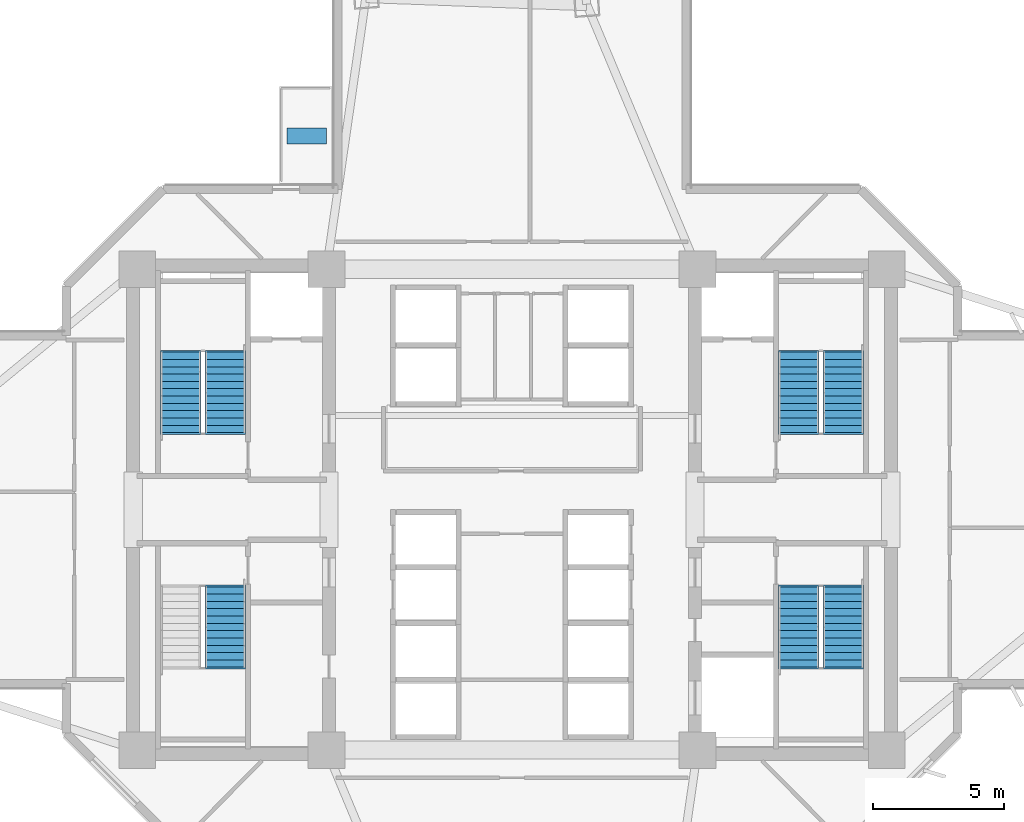
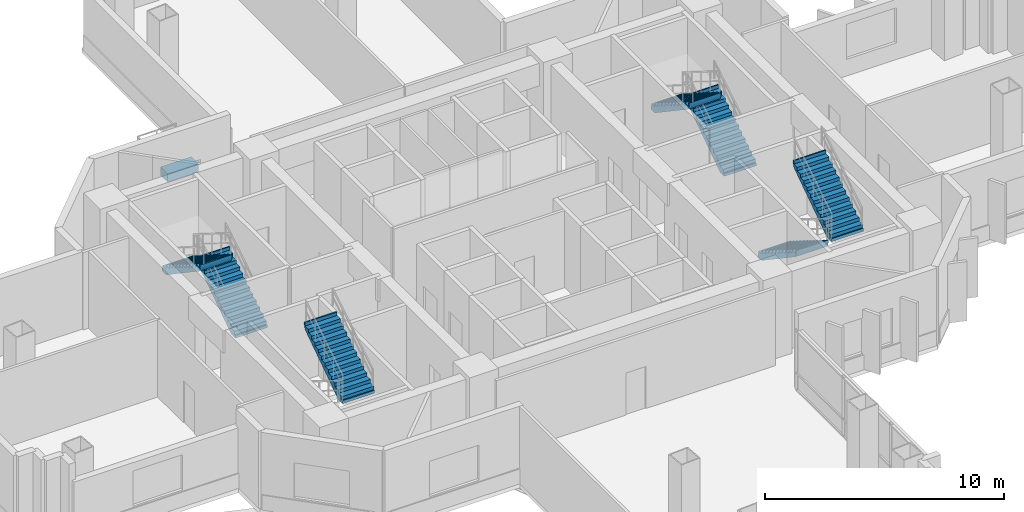
# One storey, part 9 of 14: 7 stair flights, 1 discrete accessory, 4 elements without a shape of their own.
"""IFC4 building model written with IfcOpenShell, lengths in metres."""

from ifc_helpers import new_model, si_unit, direction, frame, origin, origin_2d, place, context, subcontext, project, spatial, polyline, rectangle, outline, extrude, source, transform, mapped, material, type_object, element, aggregate, save


model = new_model("IFC4")

# Units and contexts
model_context = context("Model", 3, precision=1e-05, world=origin(), true_north=direction((0.0, 1.0)))
body_context = subcontext(model_context, "Body", "Model", "MODEL_VIEW")
ifc_project = project(units=[si_unit("LENGTHUNIT", "METRE"), si_unit("AREAUNIT", "SQUARE_METRE"), si_unit("VOLUMEUNIT", "CUBIC_METRE"), si_unit("PLANEANGLEUNIT", "RADIAN"), si_unit("MASSUNIT", "GRAM", prefix="KILO")], contexts=[model_context])

# Site, building, storey
site_placement = place(None, origin())
site = spatial("IfcSite", under=ifc_project, at=site_placement, CompositionType="ELEMENT")
building_placement = place(site_placement, origin())
building = spatial("IfcBuilding", under=site, at=building_placement, Name="Zahravan Cultural Tower", CompositionType="ELEMENT")
storey_placement = place(building_placement, frame((0.0, 0.0, 37.5)))
storey = spatial("IfcBuildingStorey", under=building, at=storey_placement, Name="L07", CompositionType="ELEMENT", Elevation=37.5)

# Stair, stair flights
ifc_material_1 = material(Name="Concrete C45/55", Category="concrete")
stair_type = type_object("IfcStairType", Name="STR-DL-1550-420", PredefinedType="HALF_TURN_STAIR", material=ifc_material_1)
stair_1_placement = place(storey_placement, origin())
stair_1 = element("IfcStair", 1, at=stair_1_placement, inside=storey, type_object=stair_type, Name="L07 West Core North Exit Stair ST-W1", PredefinedType="HALF_TURN_STAIR")
stair_flight_type = type_object("IfcStairFlightType", Name="FLG-DL-1550-420", PredefinedType="STRAIGHT", material=ifc_material_1)
stair_flight_1_placement = place(storey_placement, frame((25.02490234375, 29.949951171875, 0.0), z_axis=(0.0, 0.0, 1.0), x_axis=(0.0, 1.0, 0.0)))
stair_flight_1 = element("IfcStairFlight", 2, at=stair_flight_1_placement, type_object=stair_flight_type, Name="ST-W1 flight 1", NumberOfRisers=12, NumberOfTreads=11, PredefinedType="STRAIGHT", RiserHeight=0.175, TreadLength=0.28, context=body_context, shape_type="SweptSolid", body=[
    extrude(outline(polyline([(-0.06494140625, -0.139892578125), (-0.06494140625, 0.0), (0.0, 0.0), (0.0, 0.175048828125), (0.280029296875, 0.175048828125), (0.280029296875, 0.35009765625), (0.56005859375, 0.35009765625), (0.56005859375, 0.52490234375), (0.840087890625, 0.52490234375), (0.840087890625, 0.699951171875), (1.1201171875, 0.699951171875), (1.1201171875, 0.875), (1.39990234375, 0.875), (1.39990234375, 1.050048828125), (1.679931640625, 1.050048828125), (1.679931640625, 1.22509765625), (1.9599609375, 1.22509765625), (1.9599609375, 1.39990234375), (2.239990234375, 1.39990234375), (2.239990234375, 1.574951171875), (2.52001953125, 1.574951171875), (2.52001953125, 1.75), (2.800048828125, 1.75), (2.800048828125, 1.925048828125), (3.080078125, 1.925048828125), (3.080078125, 2.10009765625), (3.14501953125, 2.10009765625), (3.14501953125, 1.9501953125), (3.080078125, 1.748291015625), (0.28271484375, -0.139892578125), (-0.06494140625, -0.139892578125)])), frame((0.0, 0.77490234375, 0.0), z_axis=(0.0, -1.0, 0.0), x_axis=(1.0, 0.0, 0.0)), (0.0, 0.0, 1.0), 1.550048828125),
])
stair_flight_2_placement = place(storey_placement, frame((23.324951171875, 33.030029296875, 2.10009765625), z_axis=(0.0, 0.0, 1.0), x_axis=(0.0, -1.0, 0.0)))
stair_flight_2 = element("IfcStairFlight", 3, at=stair_flight_2_placement, type_object=stair_flight_type, Name="ST-W1 flight 2", NumberOfRisers=12, NumberOfTreads=11, PredefinedType="STRAIGHT", RiserHeight=0.175, TreadLength=0.28, context=body_context, shape_type="SweptSolid", body=[
    extrude(outline(polyline([(-0.06494140625, -0.139892578125), (-0.06494140625, 0.0), (0.0, 0.0), (0.0, 0.175048828125), (0.280029296875, 0.175048828125), (0.280029296875, 0.35009765625), (0.56005859375, 0.35009765625), (0.56005859375, 0.52490234375), (0.840087890625, 0.52490234375), (0.840087890625, 0.699951171875), (1.1201171875, 0.699951171875), (1.1201171875, 0.875), (1.39990234375, 0.875), (1.39990234375, 1.050048828125), (1.679931640625, 1.050048828125), (1.679931640625, 1.22509765625), (1.9599609375, 1.22509765625), (1.9599609375, 1.39990234375), (2.239990234375, 1.39990234375), (2.239990234375, 1.574951171875), (2.52001953125, 1.574951171875), (2.52001953125, 1.75), (2.800048828125, 1.75), (2.800048828125, 1.925048828125), (3.080078125, 1.925048828125), (3.080078125, 2.10009765625), (3.14501953125, 2.10009765625), (3.14501953125, 1.9501953125), (3.080078125, 1.748291015625), (0.28271484375, -0.139892578125), (-0.06494140625, -0.139892578125)])), frame((0.0, 0.77490234375, 0.0), z_axis=(0.0, -1.0, 0.0), x_axis=(1.0, 0.0, 0.0)), (0.0, 0.0, 1.0), 1.550048828125),
])
aggregate(stair_1, [stair_flight_1, stair_flight_2])

# Stair, stair flight
stair_2_placement = place(storey_placement, origin())
stair_2 = element("IfcStair", 4, at=stair_2_placement, inside=storey, type_object=stair_type, Name="L07 West Core South Exit Stair ST-W2", PredefinedType="HALF_TURN_STAIR")
stair_flight_3_placement = place(storey_placement, frame((25.02490234375, 20.969970703125, 2.10009765625), z_axis=(0.0, 0.0, 1.0), x_axis=(0.0, 1.0, 0.0)))
stair_flight_3 = element("IfcStairFlight", 5, at=stair_flight_3_placement, type_object=stair_flight_type, Name="ST-W2 flight 2", NumberOfRisers=12, NumberOfTreads=11, PredefinedType="STRAIGHT", RiserHeight=0.175, TreadLength=0.28, context=body_context, shape_type="SweptSolid", body=[
    extrude(outline(polyline([(-0.06494140625, -0.139892578125), (-0.06494140625, 0.0), (0.0, 0.0), (0.0, 0.175048828125), (0.280029296875, 0.175048828125), (0.280029296875, 0.35009765625), (0.56005859375, 0.35009765625), (0.56005859375, 0.52490234375), (0.840087890625, 0.52490234375), (0.840087890625, 0.699951171875), (1.1201171875, 0.699951171875), (1.1201171875, 0.875), (1.39990234375, 0.875), (1.39990234375, 1.050048828125), (1.679931640625, 1.050048828125), (1.679931640625, 1.22509765625), (1.9599609375, 1.22509765625), (1.9599609375, 1.39990234375), (2.239990234375, 1.39990234375), (2.239990234375, 1.574951171875), (2.52001953125, 1.574951171875), (2.52001953125, 1.75), (2.800048828125, 1.75), (2.800048828125, 1.925048828125), (3.080078125, 1.925048828125), (3.080078125, 2.10009765625), (3.14501953125, 2.10009765625), (3.14501953125, 1.9501953125), (3.080078125, 1.748291015625), (0.28271484375, -0.139892578125), (-0.06494140625, -0.139892578125)])), frame((0.0, 0.77490234375, 0.0), z_axis=(0.0, -1.0, 0.0), x_axis=(1.0, 0.0, 0.0)), (0.0, 0.0, 1.0), 1.550048828125),
])
aggregate(stair_2, [stair_flight_3])

# Stair, stair flights
stair_3_placement = place(storey_placement, origin())
stair_3 = element("IfcStair", 6, at=stair_3_placement, inside=storey, type_object=stair_type, Name="L07 East Core North Exit Stair ST-E1", PredefinedType="HALF_TURN_STAIR")
stair_flight_4_placement = place(storey_placement, frame((48.675048828125, 29.949951171875, 0.0), z_axis=(0.0, 0.0, 1.0), x_axis=(0.0, 1.0, 0.0)))
stair_flight_4 = element("IfcStairFlight", 7, at=stair_flight_4_placement, type_object=stair_flight_type, Name="ST-E1 flight 1", NumberOfRisers=12, NumberOfTreads=11, PredefinedType="STRAIGHT", RiserHeight=0.175, TreadLength=0.28, context=body_context, shape_type="SweptSolid", body=[
    extrude(outline(polyline([(-0.06494140625, -0.139892578125), (-0.06494140625, 0.0), (0.0, 0.0), (0.0, 0.175048828125), (0.280029296875, 0.175048828125), (0.280029296875, 0.35009765625), (0.56005859375, 0.35009765625), (0.56005859375, 0.52490234375), (0.840087890625, 0.52490234375), (0.840087890625, 0.699951171875), (1.1201171875, 0.699951171875), (1.1201171875, 0.875), (1.39990234375, 0.875), (1.39990234375, 1.050048828125), (1.679931640625, 1.050048828125), (1.679931640625, 1.22509765625), (1.9599609375, 1.22509765625), (1.9599609375, 1.39990234375), (2.239990234375, 1.39990234375), (2.239990234375, 1.574951171875), (2.52001953125, 1.574951171875), (2.52001953125, 1.75), (2.800048828125, 1.75), (2.800048828125, 1.925048828125), (3.080078125, 1.925048828125), (3.080078125, 2.10009765625), (3.14501953125, 2.10009765625), (3.14501953125, 1.9501953125), (3.080078125, 1.748291015625), (0.28271484375, -0.139892578125), (-0.06494140625, -0.139892578125)])), frame((0.0, 0.77490234375, 0.0), z_axis=(0.0, -1.0, 0.0), x_axis=(1.0, 0.0, 0.0)), (0.0, 0.0, 1.0), 1.550048828125),
])
stair_flight_5_placement = place(storey_placement, frame((46.97509765625, 33.030029296875, 2.10009765625), z_axis=(0.0, 0.0, 1.0), x_axis=(0.0, -1.0, 0.0)))
stair_flight_5 = element("IfcStairFlight", 8, at=stair_flight_5_placement, type_object=stair_flight_type, Name="ST-E1 flight 2", NumberOfRisers=12, NumberOfTreads=11, PredefinedType="STRAIGHT", RiserHeight=0.175, TreadLength=0.28, context=body_context, shape_type="SweptSolid", body=[
    extrude(outline(polyline([(-0.06494140625, -0.139892578125), (-0.06494140625, 0.0), (0.0, 0.0), (0.0, 0.175048828125), (0.280029296875, 0.175048828125), (0.280029296875, 0.35009765625), (0.56005859375, 0.35009765625), (0.56005859375, 0.52490234375), (0.840087890625, 0.52490234375), (0.840087890625, 0.699951171875), (1.1201171875, 0.699951171875), (1.1201171875, 0.875), (1.39990234375, 0.875), (1.39990234375, 1.050048828125), (1.679931640625, 1.050048828125), (1.679931640625, 1.22509765625), (1.9599609375, 1.22509765625), (1.9599609375, 1.39990234375), (2.239990234375, 1.39990234375), (2.239990234375, 1.574951171875), (2.52001953125, 1.574951171875), (2.52001953125, 1.75), (2.800048828125, 1.75), (2.800048828125, 1.925048828125), (3.080078125, 1.925048828125), (3.080078125, 2.10009765625), (3.14501953125, 2.10009765625), (3.14501953125, 1.9501953125), (3.080078125, 1.748291015625), (0.28271484375, -0.139892578125), (-0.06494140625, -0.139892578125)])), frame((0.0, 0.77490234375, 0.0), z_axis=(0.0, -1.0, 0.0), x_axis=(1.0, 0.0, 0.0)), (0.0, 0.0, 1.0), 1.550048828125),
])
aggregate(stair_3, [stair_flight_4, stair_flight_5])

stair_4_placement = place(storey_placement, origin())
stair_4 = element("IfcStair", 9, at=stair_4_placement, inside=storey, type_object=stair_type, Name="L07 East Core South Exit Stair ST-E2", PredefinedType="HALF_TURN_STAIR")
stair_flight_6_placement = place(storey_placement, frame((46.97509765625, 24.050048828125, 0.0), z_axis=(0.0, 0.0, 1.0), x_axis=(0.0, -1.0, 0.0)))
stair_flight_6 = element("IfcStairFlight", 10, at=stair_flight_6_placement, type_object=stair_flight_type, Name="ST-E2 flight 1", NumberOfRisers=12, NumberOfTreads=11, PredefinedType="STRAIGHT", RiserHeight=0.175, TreadLength=0.28, context=body_context, shape_type="SweptSolid", body=[
    extrude(outline(polyline([(-0.06494140625, -0.139892578125), (-0.06494140625, 0.0), (0.0, 0.0), (0.0, 0.175048828125), (0.280029296875, 0.175048828125), (0.280029296875, 0.35009765625), (0.56005859375, 0.35009765625), (0.56005859375, 0.52490234375), (0.840087890625, 0.52490234375), (0.840087890625, 0.699951171875), (1.1201171875, 0.699951171875), (1.1201171875, 0.875), (1.39990234375, 0.875), (1.39990234375, 1.050048828125), (1.679931640625, 1.050048828125), (1.679931640625, 1.22509765625), (1.9599609375, 1.22509765625), (1.9599609375, 1.39990234375), (2.239990234375, 1.39990234375), (2.239990234375, 1.574951171875), (2.52001953125, 1.574951171875), (2.52001953125, 1.75), (2.800048828125, 1.75), (2.800048828125, 1.925048828125), (3.080078125, 1.925048828125), (3.080078125, 2.10009765625), (3.14501953125, 2.10009765625), (3.14501953125, 1.9501953125), (3.080078125, 1.748291015625), (0.28271484375, -0.139892578125), (-0.06494140625, -0.139892578125)])), frame((0.0, 0.77490234375, 0.0), z_axis=(0.0, -1.0, 0.0), x_axis=(1.0, 0.0, 0.0)), (0.0, 0.0, 1.0), 1.550048828125),
])
stair_flight_7_placement = place(storey_placement, frame((48.675048828125, 20.969970703125, 2.10009765625), z_axis=(0.0, 0.0, 1.0), x_axis=(0.0, 1.0, 0.0)))
stair_flight_7 = element("IfcStairFlight", 11, at=stair_flight_7_placement, type_object=stair_flight_type, Name="ST-E2 flight 2", NumberOfRisers=12, NumberOfTreads=11, PredefinedType="STRAIGHT", RiserHeight=0.175, TreadLength=0.28, context=body_context, shape_type="SweptSolid", body=[
    extrude(outline(polyline([(-0.06494140625, -0.139892578125), (-0.06494140625, 0.0), (0.0, 0.0), (0.0, 0.175048828125), (0.280029296875, 0.175048828125), (0.280029296875, 0.35009765625), (0.56005859375, 0.35009765625), (0.56005859375, 0.52490234375), (0.840087890625, 0.52490234375), (0.840087890625, 0.699951171875), (1.1201171875, 0.699951171875), (1.1201171875, 0.875), (1.39990234375, 0.875), (1.39990234375, 1.050048828125), (1.679931640625, 1.050048828125), (1.679931640625, 1.22509765625), (1.9599609375, 1.22509765625), (1.9599609375, 1.39990234375), (2.239990234375, 1.39990234375), (2.239990234375, 1.574951171875), (2.52001953125, 1.574951171875), (2.52001953125, 1.75), (2.800048828125, 1.75), (2.800048828125, 1.925048828125), (3.080078125, 1.925048828125), (3.080078125, 2.10009765625), (3.14501953125, 2.10009765625), (3.14501953125, 1.9501953125), (3.080078125, 1.748291015625), (0.28271484375, -0.139892578125), (-0.06494140625, -0.139892578125)])), frame((0.0, 0.77490234375, 0.0), z_axis=(0.0, -1.0, 0.0), x_axis=(1.0, 0.0, 0.0)), (0.0, 0.0, 1.0), 1.550048828125),
])
aggregate(stair_4, [stair_flight_6, stair_flight_7])

# Discrete accessory
ifc_material_2 = material(Name="Planted soil and terracotta planter", Category="masonry")
discrete_accessory_type = type_object("IfcDiscreteAccessoryType", Name="ACC-PLANTER-TC", PredefinedType="USERDEFINED", material=ifc_material_2)
shared_shape = source(origin(), body_context, "Body", "SweptSolid", [
    extrude(rectangle(XDim=1.5, YDim=0.60009765625, at=origin_2d()), origin(), (0.0, 0.0, 1.0), 0.419921875),
])
discrete_accessory_placement = place(storey_placement, frame((28.1474609375, 41.302490234375, 0.0), z_axis=(0.0, 0.0, 1.0), x_axis=(1.0, 0.0, 0.0)))
element("IfcDiscreteAccessory", 12, at=discrete_accessory_placement, inside=storey, type_object=discrete_accessory_type, Name="L07 Terracotta Sculpture Planter NW", ObjectType="PLANTER", PredefinedType="USERDEFINED", context=body_context, shape_type="MappedRepresentation", body=[
    mapped(shared_shape, transform((0.0, 0.0, 0.0), x_axis=(1.0, 0.0, 0.0), y_axis=(0.0, 1.0, 0.0), z_axis=(0.0, 0.0, 1.0), scale=1.0)),
])

save(model, "model.ifc")
